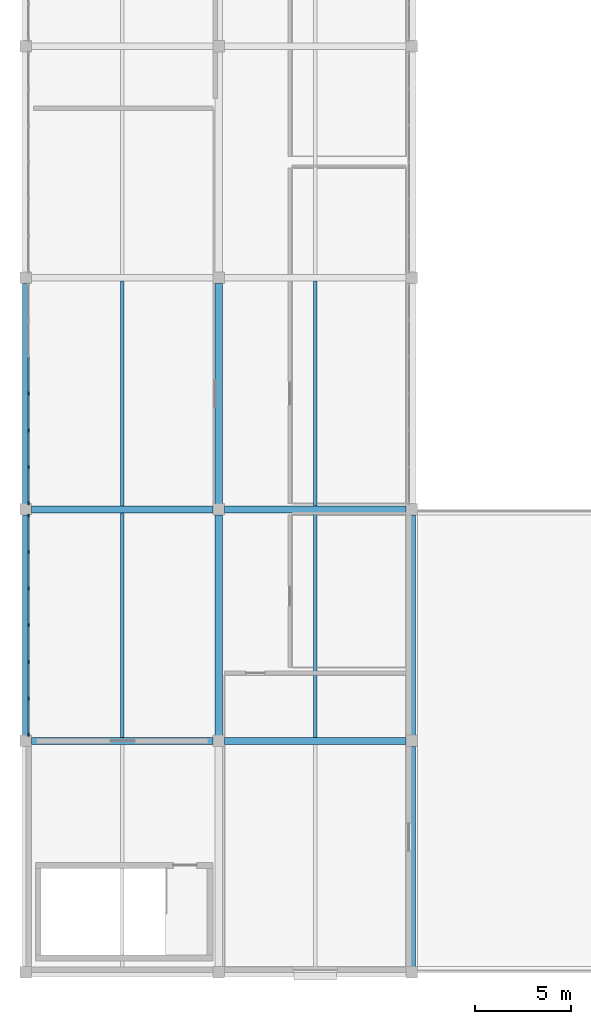
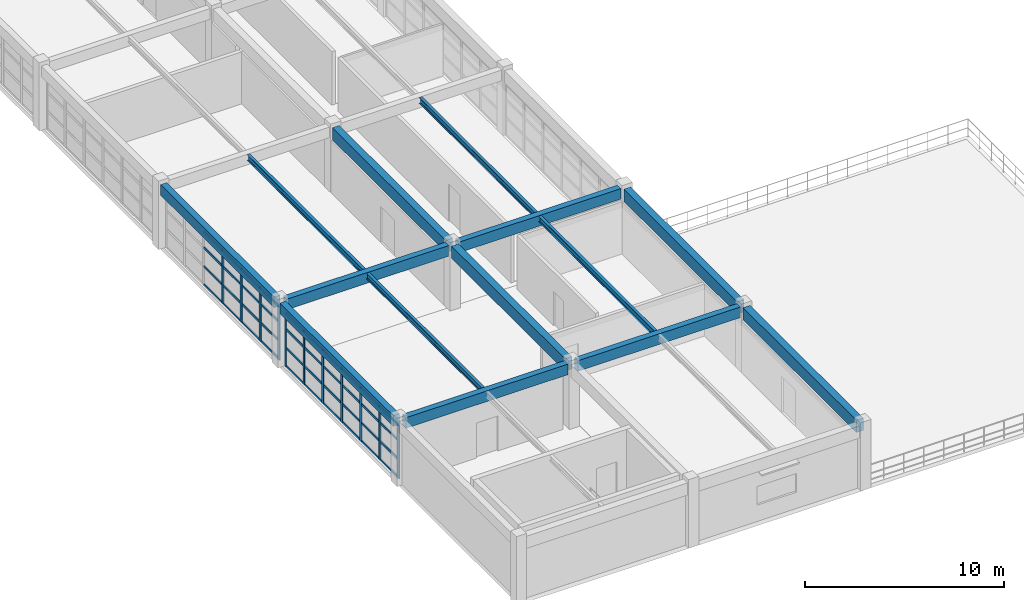
# One storey, part 2 of 28: 51 members, 14 beams, 2 elements without a shape of their own.
"""IFC4 building model written with IfcOpenShell, lengths in metres."""

from ifc_helpers import new_model, si_unit, direction, frame, origin, origin_2d, place, context, subcontext, project, spatial, rectangle, i_section, extrude, material, layer, layer_set, material_profile, profile_set, type_object, element, aggregate, save


model = new_model("IFC4")

# Units and contexts
model_context = context("Model", 3, precision=1e-05, world=origin(), true_north=direction((0.0, 1.0)))
body_context = subcontext(model_context, "Body", "Model", "MODEL_VIEW")
ifc_project = project(units=[si_unit("LENGTHUNIT", "METRE"), si_unit("AREAUNIT", "SQUARE_METRE"), si_unit("VOLUMEUNIT", "CUBIC_METRE"), si_unit("PLANEANGLEUNIT", "RADIAN"), si_unit("MASSUNIT", "GRAM", prefix="KILO")], contexts=[model_context])

# Site, building, storey
site_placement = place(None, origin())
site = spatial("IfcSite", under=ifc_project, at=site_placement, CompositionType="ELEMENT")
building_placement = place(site_placement, origin())
building = spatial("IfcBuilding", under=site, at=building_placement, Name="Kivolera Central Railway Station", CompositionType="ELEMENT")
storey_placement = place(building_placement, frame((0.0, 0.0, 18.60009765625)))
storey = spatial("IfcBuildingStorey", under=building, at=storey_placement, Name="L04", CompositionType="ELEMENT", Elevation=18.60009765625)

# Beams
ifc_material_1 = material(Name="Steel S355", Category="steel")
ifc_material_profile_1 = material_profile(ifc_material_1, i_section(OverallWidth=0.169921875, OverallDepth=0.360107421875, WebThickness=0.008056640625, FlangeThickness=0.0126953125, FilletRadius=0.01806640625, at=origin_2d()), Name="IPE 360")
ifc_profile_set_1 = profile_set([ifc_material_profile_1], Name="Steel S355")
beam_type_1 = type_object("IfcBeamType", Name="BM-JST-IPE360", PredefinedType="JOIST", material=ifc_profile_set_1)
for number, where, z_axis, x_axis, name in (
    (1, (123.0, 66.1669921875, 3.7578125), (0.0, 1.0, 0.0), (-1.0, 0.0, 0.0), "L04 Floor Joist 12-13/F-G"),
    (2, (123.0, 78.1669921875, 3.7578125), (0.0, 1.0, 0.0), (-1.0, 0.0, 0.0), "L04 Floor Joist 12-13/G-H"),
    (3, (133.0, 66.1669921875, 3.7578125), (0.0, 1.0, 0.0), (-1.0, 0.0, 0.0), "L04 Floor Joist 13-14/F-G"),
    (4, (133.0, 78.1669921875, 3.7578125), (0.0, 1.0, 0.0), (-1.0, 0.0, 0.0), "L04 Floor Joist 13-14/G-H"),
):
    element("IfcBeam", number, at=place(storey_placement, frame(where, z_axis=z_axis, x_axis=x_axis)), inside=storey, type_object=beam_type_1, Name=name, PredefinedType="JOIST", context=body_context, shape_type="SweptSolid", body=[
        extrude(i_section(OverallWidth=0.169921875, OverallDepth=0.360107421875, WebThickness=0.008056640625, FlangeThickness=0.0126953125, FilletRadius=0.01806640625, at=origin_2d()), origin(), (0.0, 0.0, 1.0), 11.666015625),
    ])
ifc_material_2 = material(Name="Concrete C40/50", Category="concrete")
ifc_material_profile_2 = material_profile(ifc_material_2, rectangle(XDim=0.35009765625, YDim=0.64990234375, at=origin_2d()), Name="RC 350x650")
ifc_profile_set_2 = profile_set([ifc_material_profile_2], Name="Concrete C40/50")
beam_type_2 = type_object("IfcBeamType", Name="BM-RC-350x650", PredefinedType="BEAM", material=ifc_profile_set_2)
for number, where, z_axis, x_axis, name in (
    (5, (118.2919921875, 66.0, 3.625), (1.0, 0.0, 0.0), (0.0, 1.0, 0.0), "L04 Wing X-Beam F:12-13"),
    (6, (128.2919921875, 66.0, 3.625), (1.0, 0.0, 0.0), (0.0, 1.0, 0.0), "L04 Wing X-Beam F:13-14"),
    (7, (118.2919921875, 78.0, 3.625), (1.0, 0.0, 0.0), (0.0, 1.0, 0.0), "L04 Wing X-Beam G:12-13"),
    (8, (128.2919921875, 78.0, 3.625), (1.0, 0.0, 0.0), (0.0, 1.0, 0.0), "L04 Wing X-Beam G:13-14"),
):
    element("IfcBeam", number, at=place(storey_placement, frame(where, z_axis=z_axis, x_axis=x_axis)), inside=storey, type_object=beam_type_2, Name=name, PredefinedType="BEAM", context=body_context, shape_type="SweptSolid", body=[
        extrude(rectangle(XDim=0.35009765625, YDim=0.64990234375, at=origin_2d()), origin(), (0.0, 0.0, 1.0), 9.416015625),
    ])
ifc_material_profile_3 = material_profile(ifc_material_2, rectangle(XDim=0.39990234375, YDim=0.75, at=origin_2d()), Name="RC 400x750")
ifc_profile_set_3 = profile_set([ifc_material_profile_3], Name="Concrete C40/50")
beam_type_3 = type_object("IfcBeamType", Name="BM-RC-400x750", PredefinedType="BEAM", material=ifc_profile_set_3)
for number, where, z_axis, x_axis, name in (
    (9, (128.0, 66.2919921875, 3.574951171875), (0.0, 1.0, 0.0), (-1.0, 0.0, 0.0), "L04 Wing Y-Beam 13:F-G"),
    (10, (128.0, 78.2919921875, 3.574951171875), (0.0, 1.0, 0.0), (-1.0, 0.0, 0.0), "L04 Wing Y-Beam 13:G-H"),
    (11, (138.0, 54.2919921875, 3.574951171875), (0.0, 1.0, 0.0), (-1.0, 0.0, 0.0), "L04 Wing Y-Beam 14:E-F"),
    (12, (138.0, 66.2919921875, 3.574951171875), (0.0, 1.0, 0.0), (-1.0, 0.0, 0.0), "L04 Wing Y-Beam 14:F-G"),
):
    element("IfcBeam", number, at=place(storey_placement, frame(where, z_axis=z_axis, x_axis=x_axis)), inside=storey, type_object=beam_type_3, Name=name, PredefinedType="BEAM", context=body_context, shape_type="SweptSolid", body=[
        extrude(rectangle(XDim=0.39990234375, YDim=0.75, at=origin_2d()), origin(), (0.0, 0.0, 1.0), 11.416015625),
    ])
ifc_material_profile_4 = material_profile(ifc_material_2, rectangle(XDim=0.35009765625, YDim=0.64990234375, at=origin_2d()), Name="RC 350x650")
ifc_profile_set_4 = profile_set([ifc_material_profile_4], Name="Concrete C40/50")
beam_type_4 = type_object("IfcBeamType", Name="BM-SPN-RC650", PredefinedType="SPANDREL", material=ifc_profile_set_4)
for number, where, z_axis, x_axis, name in (
    (13, (118.0, 66.2919921875, 3.625), (0.0, 1.0, 0.0), (-1.0, 0.0, 0.0), "L04 Wing Y-Beam 12:F-G"),
    (14, (118.0, 78.2919921875, 3.625), (0.0, 1.0, 0.0), (-1.0, 0.0, 0.0), "L04 Wing Y-Beam 12:G-H"),
):
    element("IfcBeam", number, at=place(storey_placement, frame(where, z_axis=z_axis, x_axis=x_axis)), inside=storey, type_object=beam_type_4, Name=name, PredefinedType="SPANDREL", context=body_context, shape_type="SweptSolid", body=[
        extrude(rectangle(XDim=0.35009765625, YDim=0.64990234375, at=origin_2d()), origin(), (0.0, 0.0, 1.0), 11.416015625),
    ])

# Curtain wall, members
ifc_material_3 = material(Name="Anodised aluminium", Category="aluminium")
ifc_layer = layer(ifc_material_3, 0.179931640625, Name="Anodised aluminium")
ifc_layer_set = layer_set([ifc_layer], Name="Anodised aluminium")
curtain_wall_type = type_object("IfcCurtainWallType", Name="CW-SYS-33", PredefinedType="NOTDEFINED", material=ifc_layer_set)
curtain_wall_1_placement = place(storey_placement, origin())
curtain_wall_1 = element("IfcCurtainWall", 15, at=curtain_wall_1_placement, inside=storey, type_object=curtain_wall_type, Name="L04 Curtain Wall CW-L04-WEST-F", PredefinedType="NOTDEFINED")
ifc_material_profile_5 = material_profile(ifc_material_3, rectangle(XDim=0.070068359375, YDim=0.179931640625, at=origin_2d()), Name="ALU MULL 70x180")
ifc_profile_set_5 = profile_set([ifc_material_profile_5], Name="Anodised aluminium")
member_type_1 = type_object("IfcMemberType", Name="CWM-MUL-1", PredefinedType="MULLION", material=ifc_profile_set_5)
member_1_placement = place(storey_placement, frame((118.14501953125, 66.330078125, -0.005126953125), z_axis=(0.0, 0.0, 1.0), x_axis=(-1.0, 0.0, 0.0)))
member_1 = element("IfcMember", 16, at=member_1_placement, type_object=member_type_1, Name="CW-33 mullion 1", PredefinedType="MULLION", context=body_context, shape_type="SweptSolid", body=[
    extrude(rectangle(XDim=0.070068359375, YDim=0.179931640625, at=origin_2d()), origin(), (0.0, 0.0, 1.0), 3.29296875),
])
member_2_placement = place(storey_placement, frame((118.14501953125, 68.19677734375, -0.005126953125), z_axis=(0.0, 0.0, 1.0), x_axis=(-1.0, 0.0, 0.0)))
member_2 = element("IfcMember", 17, at=member_2_placement, type_object=member_type_1, Name="CW-33 mullion 2", PredefinedType="MULLION", context=body_context, shape_type="SweptSolid", body=[
    extrude(rectangle(XDim=0.070068359375, YDim=0.179931640625, at=origin_2d()), origin(), (0.0, 0.0, 1.0), 3.29296875),
])
member_3_placement = place(storey_placement, frame((118.14501953125, 70.098388671875, -0.005126953125), z_axis=(0.0, 0.0, 1.0), x_axis=(-1.0, 0.0, 0.0)))
member_3 = element("IfcMember", 18, at=member_3_placement, type_object=member_type_1, Name="CW-33 mullion 3", PredefinedType="MULLION", context=body_context, shape_type="SweptSolid", body=[
    extrude(rectangle(XDim=0.070068359375, YDim=0.179931640625, at=origin_2d()), origin(), (0.0, 0.0, 1.0), 3.29296875),
])
member_4_placement = place(storey_placement, frame((118.14501953125, 72.0, -0.005126953125), z_axis=(0.0, 0.0, 1.0), x_axis=(-1.0, 0.0, 0.0)))
member_4 = element("IfcMember", 19, at=member_4_placement, type_object=member_type_1, Name="CW-33 mullion 4", PredefinedType="MULLION", context=body_context, shape_type="SweptSolid", body=[
    extrude(rectangle(XDim=0.070068359375, YDim=0.179931640625, at=origin_2d()), origin(), (0.0, 0.0, 1.0), 3.29296875),
])
member_5_placement = place(storey_placement, frame((118.14501953125, 73.901611328125, -0.005126953125), z_axis=(0.0, 0.0, 1.0), x_axis=(-1.0, 0.0, 0.0)))
member_5 = element("IfcMember", 20, at=member_5_placement, type_object=member_type_1, Name="CW-33 mullion 5", PredefinedType="MULLION", context=body_context, shape_type="SweptSolid", body=[
    extrude(rectangle(XDim=0.070068359375, YDim=0.179931640625, at=origin_2d()), origin(), (0.0, 0.0, 1.0), 3.29296875),
])
member_6_placement = place(storey_placement, frame((118.14501953125, 75.80322265625, -0.005126953125), z_axis=(0.0, 0.0, 1.0), x_axis=(-1.0, 0.0, 0.0)))
member_6 = element("IfcMember", 21, at=member_6_placement, type_object=member_type_1, Name="CW-33 mullion 6", PredefinedType="MULLION", context=body_context, shape_type="SweptSolid", body=[
    extrude(rectangle(XDim=0.070068359375, YDim=0.179931640625, at=origin_2d()), origin(), (0.0, 0.0, 1.0), 3.29296875),
])
member_7_placement = place(storey_placement, frame((118.14501953125, 77.669921875, -0.005126953125), z_axis=(0.0, 0.0, 1.0), x_axis=(-1.0, 0.0, 0.0)))
member_7 = element("IfcMember", 22, at=member_7_placement, type_object=member_type_1, Name="CW-33 mullion 7", PredefinedType="MULLION", context=body_context, shape_type="SweptSolid", body=[
    extrude(rectangle(XDim=0.070068359375, YDim=0.179931640625, at=origin_2d()), origin(), (0.0, 0.0, 1.0), 3.29296875),
])

curtain_wall_2_placement = place(storey_placement, origin())
curtain_wall_2 = element("IfcCurtainWall", 23, at=curtain_wall_2_placement, inside=storey, type_object=curtain_wall_type, Name="L04 Curtain Wall CW-L04-WEST-G", PredefinedType="NOTDEFINED")
member_8_placement = place(storey_placement, frame((118.14501953125, 78.330078125, -0.005126953125), z_axis=(0.0, 0.0, 1.0), x_axis=(-1.0, 0.0, 0.0)))
member_8 = element("IfcMember", 24, at=member_8_placement, type_object=member_type_1, Name="CW-33 mullion 1", PredefinedType="MULLION", context=body_context, shape_type="SweptSolid", body=[
    extrude(rectangle(XDim=0.070068359375, YDim=0.179931640625, at=origin_2d()), origin(), (0.0, 0.0, 1.0), 3.29296875),
])
member_9_placement = place(storey_placement, frame((118.14501953125, 80.19677734375, -0.005126953125), z_axis=(0.0, 0.0, 1.0), x_axis=(-1.0, 0.0, 0.0)))
member_9 = element("IfcMember", 25, at=member_9_placement, type_object=member_type_1, Name="CW-33 mullion 2", PredefinedType="MULLION", context=body_context, shape_type="SweptSolid", body=[
    extrude(rectangle(XDim=0.070068359375, YDim=0.179931640625, at=origin_2d()), origin(), (0.0, 0.0, 1.0), 3.29296875),
])
member_10_placement = place(storey_placement, frame((118.14501953125, 82.098388671875, -0.005126953125), z_axis=(0.0, 0.0, 1.0), x_axis=(-1.0, 0.0, 0.0)))
member_10 = element("IfcMember", 26, at=member_10_placement, type_object=member_type_1, Name="CW-33 mullion 3", PredefinedType="MULLION", context=body_context, shape_type="SweptSolid", body=[
    extrude(rectangle(XDim=0.070068359375, YDim=0.179931640625, at=origin_2d()), origin(), (0.0, 0.0, 1.0), 3.29296875),
])
member_11_placement = place(storey_placement, frame((118.14501953125, 84.0, -0.005126953125), z_axis=(0.0, 0.0, 1.0), x_axis=(-1.0, 0.0, 0.0)))
member_11 = element("IfcMember", 27, at=member_11_placement, type_object=member_type_1, Name="CW-33 mullion 4", PredefinedType="MULLION", context=body_context, shape_type="SweptSolid", body=[
    extrude(rectangle(XDim=0.070068359375, YDim=0.179931640625, at=origin_2d()), origin(), (0.0, 0.0, 1.0), 3.29296875),
])

# Member
ifc_material_profile_6 = material_profile(ifc_material_3, rectangle(XDim=0.070068359375, YDim=0.139892578125, at=origin_2d()), Name="ALU TRAN 70x140")
ifc_profile_set_6 = profile_set([ifc_material_profile_6], Name="Anodised aluminium")
member_type_2 = type_object("IfcMemberType", Name="CWM-TRN-1", PredefinedType="USERDEFINED", material=ifc_profile_set_6)
member_12_placement = place(storey_placement, frame((118.14501953125, 66.364990234375, 0.034912109375), z_axis=(0.0, 1.0, 0.0), x_axis=(-1.0, 0.0, 0.0)))
member_12 = element("IfcMember", 28, at=member_12_placement, type_object=member_type_2, Name="CW-33 transom 1.1", ObjectType="TRANSOM", PredefinedType="USERDEFINED", context=body_context, shape_type="SweptSolid", body=[
    extrude(rectangle(XDim=0.070068359375, YDim=0.139892578125, at=origin_2d()), origin(), (0.0, 0.0, 1.0), 1.796630859375),
])

member_13_placement = place(storey_placement, frame((118.14501953125, 66.364990234375, 1.150634765625), z_axis=(0.0, 1.0, 0.0), x_axis=(-1.0, 0.0, 0.0)))
member_13 = element("IfcMember", 29, at=member_13_placement, type_object=member_type_2, Name="CW-33 transom 1.2", ObjectType="TRANSOM", PredefinedType="USERDEFINED", context=body_context, shape_type="SweptSolid", body=[
    extrude(rectangle(XDim=0.070068359375, YDim=0.139892578125, at=origin_2d()), origin(), (0.0, 0.0, 1.0), 1.796630859375),
])

member_14_placement = place(storey_placement, frame((118.14501953125, 66.364990234375, 2.301513671875), z_axis=(0.0, 1.0, 0.0), x_axis=(-1.0, 0.0, 0.0)))
member_14 = element("IfcMember", 30, at=member_14_placement, type_object=member_type_2, Name="CW-33 transom 1.3", ObjectType="TRANSOM", PredefinedType="USERDEFINED", context=body_context, shape_type="SweptSolid", body=[
    extrude(rectangle(XDim=0.070068359375, YDim=0.139892578125, at=origin_2d()), origin(), (0.0, 0.0, 1.0), 1.796630859375),
])

member_15_placement = place(storey_placement, frame((118.14501953125, 66.364990234375, 3.2529296875), z_axis=(0.0, 1.0, 0.0), x_axis=(-1.0, 0.0, 0.0)))
member_15 = element("IfcMember", 31, at=member_15_placement, type_object=member_type_2, Name="CW-33 transom 1.4", ObjectType="TRANSOM", PredefinedType="USERDEFINED", context=body_context, shape_type="SweptSolid", body=[
    extrude(rectangle(XDim=0.070068359375, YDim=0.139892578125, at=origin_2d()), origin(), (0.0, 0.0, 1.0), 1.796630859375),
])

member_16_placement = place(storey_placement, frame((118.14501953125, 68.231689453125, 0.034912109375), z_axis=(0.0, 1.0, 0.0), x_axis=(-1.0, 0.0, 0.0)))
member_16 = element("IfcMember", 32, at=member_16_placement, type_object=member_type_2, Name="CW-33 transom 2.1", ObjectType="TRANSOM", PredefinedType="USERDEFINED", context=body_context, shape_type="SweptSolid", body=[
    extrude(rectangle(XDim=0.070068359375, YDim=0.139892578125, at=origin_2d()), origin(), (0.0, 0.0, 1.0), 1.83154296875),
])

member_17_placement = place(storey_placement, frame((118.14501953125, 68.231689453125, 1.150634765625), z_axis=(0.0, 1.0, 0.0), x_axis=(-1.0, 0.0, 0.0)))
member_17 = element("IfcMember", 33, at=member_17_placement, type_object=member_type_2, Name="CW-33 transom 2.2", ObjectType="TRANSOM", PredefinedType="USERDEFINED", context=body_context, shape_type="SweptSolid", body=[
    extrude(rectangle(XDim=0.070068359375, YDim=0.139892578125, at=origin_2d()), origin(), (0.0, 0.0, 1.0), 1.83154296875),
])

member_18_placement = place(storey_placement, frame((118.14501953125, 68.231689453125, 2.301513671875), z_axis=(0.0, 1.0, 0.0), x_axis=(-1.0, 0.0, 0.0)))
member_18 = element("IfcMember", 34, at=member_18_placement, type_object=member_type_2, Name="CW-33 transom 2.3", ObjectType="TRANSOM", PredefinedType="USERDEFINED", context=body_context, shape_type="SweptSolid", body=[
    extrude(rectangle(XDim=0.070068359375, YDim=0.139892578125, at=origin_2d()), origin(), (0.0, 0.0, 1.0), 1.83154296875),
])

member_19_placement = place(storey_placement, frame((118.14501953125, 68.231689453125, 3.2529296875), z_axis=(0.0, 1.0, 0.0), x_axis=(-1.0, 0.0, 0.0)))
member_19 = element("IfcMember", 35, at=member_19_placement, type_object=member_type_2, Name="CW-33 transom 2.4", ObjectType="TRANSOM", PredefinedType="USERDEFINED", context=body_context, shape_type="SweptSolid", body=[
    extrude(rectangle(XDim=0.070068359375, YDim=0.139892578125, at=origin_2d()), origin(), (0.0, 0.0, 1.0), 1.83154296875),
])

member_20_placement = place(storey_placement, frame((118.14501953125, 70.13330078125, 0.034912109375), z_axis=(0.0, 1.0, 0.0), x_axis=(-1.0, 0.0, 0.0)))
member_20 = element("IfcMember", 36, at=member_20_placement, type_object=member_type_2, Name="CW-33 transom 3.1", ObjectType="TRANSOM", PredefinedType="USERDEFINED", context=body_context, shape_type="SweptSolid", body=[
    extrude(rectangle(XDim=0.070068359375, YDim=0.139892578125, at=origin_2d()), origin(), (0.0, 0.0, 1.0), 1.831787109375),
])

member_21_placement = place(storey_placement, frame((118.14501953125, 70.13330078125, 1.150634765625), z_axis=(0.0, 1.0, 0.0), x_axis=(-1.0, 0.0, 0.0)))
member_21 = element("IfcMember", 37, at=member_21_placement, type_object=member_type_2, Name="CW-33 transom 3.2", ObjectType="TRANSOM", PredefinedType="USERDEFINED", context=body_context, shape_type="SweptSolid", body=[
    extrude(rectangle(XDim=0.070068359375, YDim=0.139892578125, at=origin_2d()), origin(), (0.0, 0.0, 1.0), 1.831787109375),
])

member_22_placement = place(storey_placement, frame((118.14501953125, 70.13330078125, 2.301513671875), z_axis=(0.0, 1.0, 0.0), x_axis=(-1.0, 0.0, 0.0)))
member_22 = element("IfcMember", 38, at=member_22_placement, type_object=member_type_2, Name="CW-33 transom 3.3", ObjectType="TRANSOM", PredefinedType="USERDEFINED", context=body_context, shape_type="SweptSolid", body=[
    extrude(rectangle(XDim=0.070068359375, YDim=0.139892578125, at=origin_2d()), origin(), (0.0, 0.0, 1.0), 1.831787109375),
])

member_23_placement = place(storey_placement, frame((118.14501953125, 70.13330078125, 3.2529296875), z_axis=(0.0, 1.0, 0.0), x_axis=(-1.0, 0.0, 0.0)))
member_23 = element("IfcMember", 39, at=member_23_placement, type_object=member_type_2, Name="CW-33 transom 3.4", ObjectType="TRANSOM", PredefinedType="USERDEFINED", context=body_context, shape_type="SweptSolid", body=[
    extrude(rectangle(XDim=0.070068359375, YDim=0.139892578125, at=origin_2d()), origin(), (0.0, 0.0, 1.0), 1.831787109375),
])

member_24_placement = place(storey_placement, frame((118.14501953125, 72.034912109375, 0.034912109375), z_axis=(0.0, 1.0, 0.0), x_axis=(-1.0, 0.0, 0.0)))
member_24 = element("IfcMember", 40, at=member_24_placement, type_object=member_type_2, Name="CW-33 transom 4.1", ObjectType="TRANSOM", PredefinedType="USERDEFINED", context=body_context, shape_type="SweptSolid", body=[
    extrude(rectangle(XDim=0.070068359375, YDim=0.139892578125, at=origin_2d()), origin(), (0.0, 0.0, 1.0), 1.831787109375),
])

member_25_placement = place(storey_placement, frame((118.14501953125, 72.034912109375, 1.150634765625), z_axis=(0.0, 1.0, 0.0), x_axis=(-1.0, 0.0, 0.0)))
member_25 = element("IfcMember", 41, at=member_25_placement, type_object=member_type_2, Name="CW-33 transom 4.2", ObjectType="TRANSOM", PredefinedType="USERDEFINED", context=body_context, shape_type="SweptSolid", body=[
    extrude(rectangle(XDim=0.070068359375, YDim=0.139892578125, at=origin_2d()), origin(), (0.0, 0.0, 1.0), 1.831787109375),
])

member_26_placement = place(storey_placement, frame((118.14501953125, 72.034912109375, 2.301513671875), z_axis=(0.0, 1.0, 0.0), x_axis=(-1.0, 0.0, 0.0)))
member_26 = element("IfcMember", 42, at=member_26_placement, type_object=member_type_2, Name="CW-33 transom 4.3", ObjectType="TRANSOM", PredefinedType="USERDEFINED", context=body_context, shape_type="SweptSolid", body=[
    extrude(rectangle(XDim=0.070068359375, YDim=0.139892578125, at=origin_2d()), origin(), (0.0, 0.0, 1.0), 1.831787109375),
])

member_27_placement = place(storey_placement, frame((118.14501953125, 72.034912109375, 3.2529296875), z_axis=(0.0, 1.0, 0.0), x_axis=(-1.0, 0.0, 0.0)))
member_27 = element("IfcMember", 43, at=member_27_placement, type_object=member_type_2, Name="CW-33 transom 4.4", ObjectType="TRANSOM", PredefinedType="USERDEFINED", context=body_context, shape_type="SweptSolid", body=[
    extrude(rectangle(XDim=0.070068359375, YDim=0.139892578125, at=origin_2d()), origin(), (0.0, 0.0, 1.0), 1.831787109375),
])

member_28_placement = place(storey_placement, frame((118.14501953125, 73.936767578125, 0.034912109375), z_axis=(0.0, 1.0, 0.0), x_axis=(-1.0, 0.0, 0.0)))
member_28 = element("IfcMember", 44, at=member_28_placement, type_object=member_type_2, Name="CW-33 transom 5.1", ObjectType="TRANSOM", PredefinedType="USERDEFINED", context=body_context, shape_type="SweptSolid", body=[
    extrude(rectangle(XDim=0.070068359375, YDim=0.139892578125, at=origin_2d()), origin(), (0.0, 0.0, 1.0), 1.83154296875),
])

member_29_placement = place(storey_placement, frame((118.14501953125, 73.936767578125, 1.150634765625), z_axis=(0.0, 1.0, 0.0), x_axis=(-1.0, 0.0, 0.0)))
member_29 = element("IfcMember", 45, at=member_29_placement, type_object=member_type_2, Name="CW-33 transom 5.2", ObjectType="TRANSOM", PredefinedType="USERDEFINED", context=body_context, shape_type="SweptSolid", body=[
    extrude(rectangle(XDim=0.070068359375, YDim=0.139892578125, at=origin_2d()), origin(), (0.0, 0.0, 1.0), 1.83154296875),
])

member_30_placement = place(storey_placement, frame((118.14501953125, 73.936767578125, 2.301513671875), z_axis=(0.0, 1.0, 0.0), x_axis=(-1.0, 0.0, 0.0)))
member_30 = element("IfcMember", 46, at=member_30_placement, type_object=member_type_2, Name="CW-33 transom 5.3", ObjectType="TRANSOM", PredefinedType="USERDEFINED", context=body_context, shape_type="SweptSolid", body=[
    extrude(rectangle(XDim=0.070068359375, YDim=0.139892578125, at=origin_2d()), origin(), (0.0, 0.0, 1.0), 1.83154296875),
])

member_31_placement = place(storey_placement, frame((118.14501953125, 73.936767578125, 3.2529296875), z_axis=(0.0, 1.0, 0.0), x_axis=(-1.0, 0.0, 0.0)))
member_31 = element("IfcMember", 47, at=member_31_placement, type_object=member_type_2, Name="CW-33 transom 5.4", ObjectType="TRANSOM", PredefinedType="USERDEFINED", context=body_context, shape_type="SweptSolid", body=[
    extrude(rectangle(XDim=0.070068359375, YDim=0.139892578125, at=origin_2d()), origin(), (0.0, 0.0, 1.0), 1.83154296875),
])

member_32_placement = place(storey_placement, frame((118.14501953125, 75.83837890625, 0.034912109375), z_axis=(0.0, 1.0, 0.0), x_axis=(-1.0, 0.0, 0.0)))
member_32 = element("IfcMember", 48, at=member_32_placement, type_object=member_type_2, Name="CW-33 transom 6.1", ObjectType="TRANSOM", PredefinedType="USERDEFINED", context=body_context, shape_type="SweptSolid", body=[
    extrude(rectangle(XDim=0.070068359375, YDim=0.139892578125, at=origin_2d()), origin(), (0.0, 0.0, 1.0), 1.796630859375),
])

member_33_placement = place(storey_placement, frame((118.14501953125, 75.83837890625, 1.150634765625), z_axis=(0.0, 1.0, 0.0), x_axis=(-1.0, 0.0, 0.0)))
member_33 = element("IfcMember", 49, at=member_33_placement, type_object=member_type_2, Name="CW-33 transom 6.2", ObjectType="TRANSOM", PredefinedType="USERDEFINED", context=body_context, shape_type="SweptSolid", body=[
    extrude(rectangle(XDim=0.070068359375, YDim=0.139892578125, at=origin_2d()), origin(), (0.0, 0.0, 1.0), 1.796630859375),
])

member_34_placement = place(storey_placement, frame((118.14501953125, 75.83837890625, 2.301513671875), z_axis=(0.0, 1.0, 0.0), x_axis=(-1.0, 0.0, 0.0)))
member_34 = element("IfcMember", 50, at=member_34_placement, type_object=member_type_2, Name="CW-33 transom 6.3", ObjectType="TRANSOM", PredefinedType="USERDEFINED", context=body_context, shape_type="SweptSolid", body=[
    extrude(rectangle(XDim=0.070068359375, YDim=0.139892578125, at=origin_2d()), origin(), (0.0, 0.0, 1.0), 1.796630859375),
])

member_35_placement = place(storey_placement, frame((118.14501953125, 75.83837890625, 3.2529296875), z_axis=(0.0, 1.0, 0.0), x_axis=(-1.0, 0.0, 0.0)))
member_35 = element("IfcMember", 51, at=member_35_placement, type_object=member_type_2, Name="CW-33 transom 6.4", ObjectType="TRANSOM", PredefinedType="USERDEFINED", context=body_context, shape_type="SweptSolid", body=[
    extrude(rectangle(XDim=0.070068359375, YDim=0.139892578125, at=origin_2d()), origin(), (0.0, 0.0, 1.0), 1.796630859375),
])

aggregate(curtain_wall_1, [member_1, member_2, member_3, member_4, member_5, member_6, member_7, member_12, member_13, member_14, member_15, member_16, member_17, member_18, member_19, member_20, member_21, member_22, member_23, member_24, member_25, member_26, member_27, member_28, member_29, member_30, member_31, member_32, member_33, member_34, member_35])

member_36_placement = place(storey_placement, frame((118.14501953125, 78.364990234375, 0.034912109375), z_axis=(0.0, 1.0, 0.0), x_axis=(-1.0, 0.0, 0.0)))
member_36 = element("IfcMember", 52, at=member_36_placement, type_object=member_type_2, Name="CW-33 transom 1.1", ObjectType="TRANSOM", PredefinedType="USERDEFINED", context=body_context, shape_type="SweptSolid", body=[
    extrude(rectangle(XDim=0.070068359375, YDim=0.139892578125, at=origin_2d()), origin(), (0.0, 0.0, 1.0), 1.796630859375),
])

member_37_placement = place(storey_placement, frame((118.14501953125, 78.364990234375, 1.150634765625), z_axis=(0.0, 1.0, 0.0), x_axis=(-1.0, 0.0, 0.0)))
member_37 = element("IfcMember", 53, at=member_37_placement, type_object=member_type_2, Name="CW-33 transom 1.2", ObjectType="TRANSOM", PredefinedType="USERDEFINED", context=body_context, shape_type="SweptSolid", body=[
    extrude(rectangle(XDim=0.070068359375, YDim=0.139892578125, at=origin_2d()), origin(), (0.0, 0.0, 1.0), 1.796630859375),
])

member_38_placement = place(storey_placement, frame((118.14501953125, 78.364990234375, 2.301513671875), z_axis=(0.0, 1.0, 0.0), x_axis=(-1.0, 0.0, 0.0)))
member_38 = element("IfcMember", 54, at=member_38_placement, type_object=member_type_2, Name="CW-33 transom 1.3", ObjectType="TRANSOM", PredefinedType="USERDEFINED", context=body_context, shape_type="SweptSolid", body=[
    extrude(rectangle(XDim=0.070068359375, YDim=0.139892578125, at=origin_2d()), origin(), (0.0, 0.0, 1.0), 1.796630859375),
])

member_39_placement = place(storey_placement, frame((118.14501953125, 78.364990234375, 3.2529296875), z_axis=(0.0, 1.0, 0.0), x_axis=(-1.0, 0.0, 0.0)))
member_39 = element("IfcMember", 55, at=member_39_placement, type_object=member_type_2, Name="CW-33 transom 1.4", ObjectType="TRANSOM", PredefinedType="USERDEFINED", context=body_context, shape_type="SweptSolid", body=[
    extrude(rectangle(XDim=0.070068359375, YDim=0.139892578125, at=origin_2d()), origin(), (0.0, 0.0, 1.0), 1.796630859375),
])

member_40_placement = place(storey_placement, frame((118.14501953125, 80.231689453125, 0.034912109375), z_axis=(0.0, 1.0, 0.0), x_axis=(-1.0, 0.0, 0.0)))
member_40 = element("IfcMember", 56, at=member_40_placement, type_object=member_type_2, Name="CW-33 transom 2.1", ObjectType="TRANSOM", PredefinedType="USERDEFINED", context=body_context, shape_type="SweptSolid", body=[
    extrude(rectangle(XDim=0.070068359375, YDim=0.139892578125, at=origin_2d()), origin(), (0.0, 0.0, 1.0), 1.83154296875),
])

member_41_placement = place(storey_placement, frame((118.14501953125, 80.231689453125, 1.150634765625), z_axis=(0.0, 1.0, 0.0), x_axis=(-1.0, 0.0, 0.0)))
member_41 = element("IfcMember", 57, at=member_41_placement, type_object=member_type_2, Name="CW-33 transom 2.2", ObjectType="TRANSOM", PredefinedType="USERDEFINED", context=body_context, shape_type="SweptSolid", body=[
    extrude(rectangle(XDim=0.070068359375, YDim=0.139892578125, at=origin_2d()), origin(), (0.0, 0.0, 1.0), 1.83154296875),
])

member_42_placement = place(storey_placement, frame((118.14501953125, 80.231689453125, 2.301513671875), z_axis=(0.0, 1.0, 0.0), x_axis=(-1.0, 0.0, 0.0)))
member_42 = element("IfcMember", 58, at=member_42_placement, type_object=member_type_2, Name="CW-33 transom 2.3", ObjectType="TRANSOM", PredefinedType="USERDEFINED", context=body_context, shape_type="SweptSolid", body=[
    extrude(rectangle(XDim=0.070068359375, YDim=0.139892578125, at=origin_2d()), origin(), (0.0, 0.0, 1.0), 1.83154296875),
])

member_43_placement = place(storey_placement, frame((118.14501953125, 80.231689453125, 3.2529296875), z_axis=(0.0, 1.0, 0.0), x_axis=(-1.0, 0.0, 0.0)))
member_43 = element("IfcMember", 59, at=member_43_placement, type_object=member_type_2, Name="CW-33 transom 2.4", ObjectType="TRANSOM", PredefinedType="USERDEFINED", context=body_context, shape_type="SweptSolid", body=[
    extrude(rectangle(XDim=0.070068359375, YDim=0.139892578125, at=origin_2d()), origin(), (0.0, 0.0, 1.0), 1.83154296875),
])

member_44_placement = place(storey_placement, frame((118.14501953125, 82.13330078125, 0.034912109375), z_axis=(0.0, 1.0, 0.0), x_axis=(-1.0, 0.0, 0.0)))
member_44 = element("IfcMember", 60, at=member_44_placement, type_object=member_type_2, Name="CW-33 transom 3.1", ObjectType="TRANSOM", PredefinedType="USERDEFINED", context=body_context, shape_type="SweptSolid", body=[
    extrude(rectangle(XDim=0.070068359375, YDim=0.139892578125, at=origin_2d()), origin(), (0.0, 0.0, 1.0), 1.831787109375),
])

member_45_placement = place(storey_placement, frame((118.14501953125, 82.13330078125, 1.150634765625), z_axis=(0.0, 1.0, 0.0), x_axis=(-1.0, 0.0, 0.0)))
member_45 = element("IfcMember", 61, at=member_45_placement, type_object=member_type_2, Name="CW-33 transom 3.2", ObjectType="TRANSOM", PredefinedType="USERDEFINED", context=body_context, shape_type="SweptSolid", body=[
    extrude(rectangle(XDim=0.070068359375, YDim=0.139892578125, at=origin_2d()), origin(), (0.0, 0.0, 1.0), 1.831787109375),
])

member_46_placement = place(storey_placement, frame((118.14501953125, 82.13330078125, 2.301513671875), z_axis=(0.0, 1.0, 0.0), x_axis=(-1.0, 0.0, 0.0)))
member_46 = element("IfcMember", 62, at=member_46_placement, type_object=member_type_2, Name="CW-33 transom 3.3", ObjectType="TRANSOM", PredefinedType="USERDEFINED", context=body_context, shape_type="SweptSolid", body=[
    extrude(rectangle(XDim=0.070068359375, YDim=0.139892578125, at=origin_2d()), origin(), (0.0, 0.0, 1.0), 1.831787109375),
])

member_47_placement = place(storey_placement, frame((118.14501953125, 82.13330078125, 3.2529296875), z_axis=(0.0, 1.0, 0.0), x_axis=(-1.0, 0.0, 0.0)))
member_47 = element("IfcMember", 63, at=member_47_placement, type_object=member_type_2, Name="CW-33 transom 3.4", ObjectType="TRANSOM", PredefinedType="USERDEFINED", context=body_context, shape_type="SweptSolid", body=[
    extrude(rectangle(XDim=0.070068359375, YDim=0.139892578125, at=origin_2d()), origin(), (0.0, 0.0, 1.0), 1.831787109375),
])

member_48_placement = place(storey_placement, frame((118.14501953125, 84.034912109375, 0.034912109375), z_axis=(0.0, 1.0, 0.0), x_axis=(-1.0, 0.0, 0.0)))
member_48 = element("IfcMember", 64, at=member_48_placement, type_object=member_type_2, Name="CW-33 transom 4.1", ObjectType="TRANSOM", PredefinedType="USERDEFINED", context=body_context, shape_type="SweptSolid", body=[
    extrude(rectangle(XDim=0.070068359375, YDim=0.139892578125, at=origin_2d()), origin(), (0.0, 0.0, 1.0), 1.831787109375),
])

member_49_placement = place(storey_placement, frame((118.14501953125, 84.034912109375, 1.150634765625), z_axis=(0.0, 1.0, 0.0), x_axis=(-1.0, 0.0, 0.0)))
member_49 = element("IfcMember", 65, at=member_49_placement, type_object=member_type_2, Name="CW-33 transom 4.2", ObjectType="TRANSOM", PredefinedType="USERDEFINED", context=body_context, shape_type="SweptSolid", body=[
    extrude(rectangle(XDim=0.070068359375, YDim=0.139892578125, at=origin_2d()), origin(), (0.0, 0.0, 1.0), 1.831787109375),
])

member_50_placement = place(storey_placement, frame((118.14501953125, 84.034912109375, 2.301513671875), z_axis=(0.0, 1.0, 0.0), x_axis=(-1.0, 0.0, 0.0)))
member_50 = element("IfcMember", 66, at=member_50_placement, type_object=member_type_2, Name="CW-33 transom 4.3", ObjectType="TRANSOM", PredefinedType="USERDEFINED", context=body_context, shape_type="SweptSolid", body=[
    extrude(rectangle(XDim=0.070068359375, YDim=0.139892578125, at=origin_2d()), origin(), (0.0, 0.0, 1.0), 1.831787109375),
])

member_51_placement = place(storey_placement, frame((118.14501953125, 84.034912109375, 3.2529296875), z_axis=(0.0, 1.0, 0.0), x_axis=(-1.0, 0.0, 0.0)))
member_51 = element("IfcMember", 67, at=member_51_placement, type_object=member_type_2, Name="CW-33 transom 4.4", ObjectType="TRANSOM", PredefinedType="USERDEFINED", context=body_context, shape_type="SweptSolid", body=[
    extrude(rectangle(XDim=0.070068359375, YDim=0.139892578125, at=origin_2d()), origin(), (0.0, 0.0, 1.0), 1.831787109375),
])

aggregate(curtain_wall_2, [member_8, member_9, member_10, member_11, member_36, member_37, member_38, member_39, member_40, member_41, member_42, member_43, member_44, member_45, member_46, member_47, member_48, member_49, member_50, member_51])

save(model, "model.ifc")
